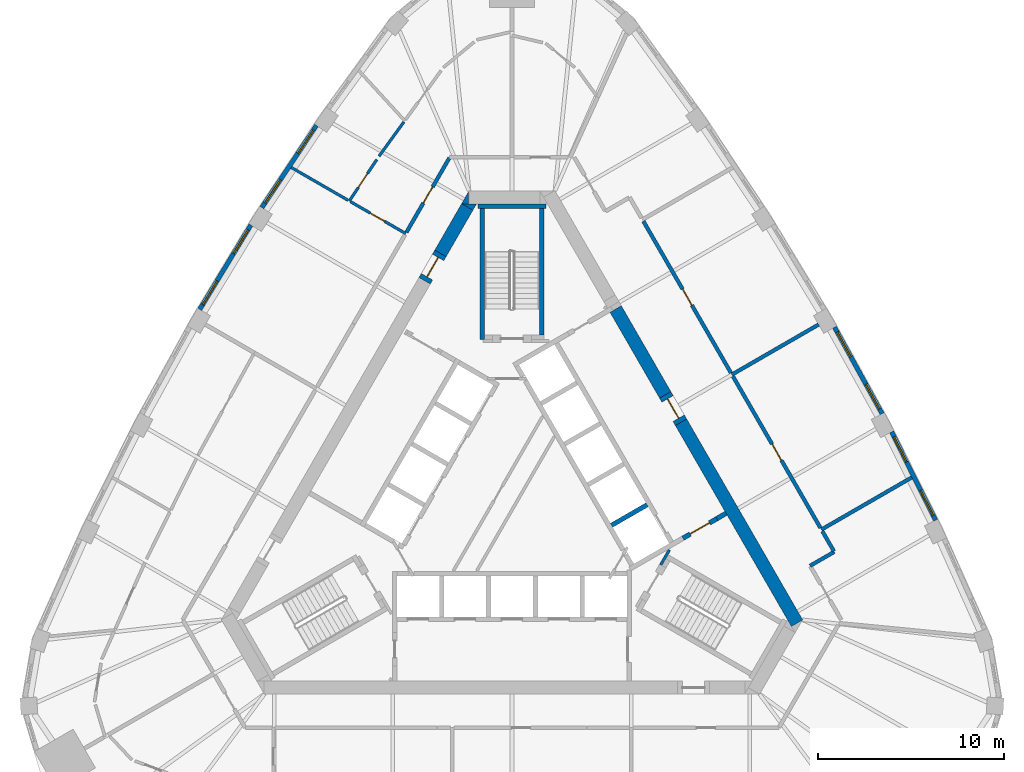
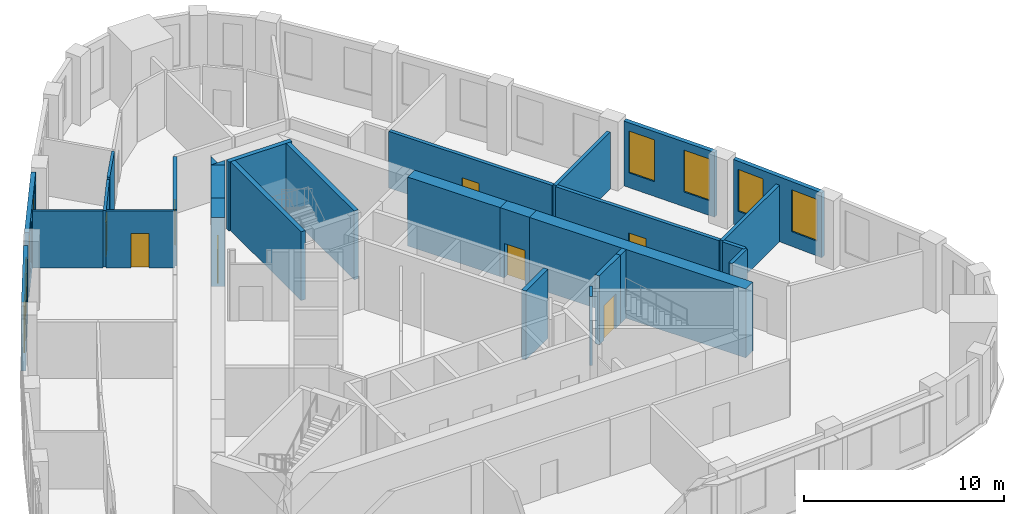
# One storey, part 7 of 10: 29 walls, 8 doors, 8 windows, 16 openings.
"""IFC4 building model written with IfcOpenShell, lengths in metres."""

import ifcopenshell
import ifcopenshell.guid

model = None  # the IFC model being written
_history = None  # IfcOwnerHistory: only IFC2X3 demands one
_inside = {}  # id of a spatial element -> (the spatial element, [elements in it])
_under = {}  # id of a project, library or spatial element -> (it, [spatial elements below it])
_declared = {}  # id of a project -> (the project, [libraries it declares])
_typed = {}  # id of a type object -> (the type object, [elements of that type])
_made_of = {}  # id of a material, layer set ... -> (it, [elements and type objects made of it])


def new_model(schema):
    """Start an empty IFC model of exactly this schema.

    Asked for "IFC4X3", IfcOpenShell would pick the latest addendum, in which some entities
    have other attributes; the version numbers below select the first issue.
    IFC2X3 requires an IfcOwnerHistory on every rooted entity: one is made here for all.
    """
    global model, _history
    if schema == "IFC4X3":
        model = ifcopenshell.file(schema_version=(4, 3, 0, 0))
    else:
        model = ifcopenshell.file(schema=schema)
    _inside.clear()
    _under.clear()
    _declared.clear()
    _typed.clear()
    _made_of.clear()
    _history = None
    if model.schema == "IFC2X3":
        org = make("IfcOrganization", Name="unknown")
        user = make(
            "IfcPersonAndOrganization",
            ThePerson=make("IfcPerson", FamilyName="unknown"),
            TheOrganization=org,
        )
        app = make(
            "IfcApplication",
            ApplicationDeveloper=org,
            Version="unknown",
            ApplicationFullName="unknown",
            ApplicationIdentifier="unknown",
        )
        _history = make(
            "IfcOwnerHistory",
            OwningUser=user,
            OwningApplication=app,
            ChangeAction="ADDED",
            CreationDate=0,
        )
    return model


def make(cls, **values):
    """One entity of the class cls with the attributes given. An attribute that is None is left unset."""
    return model.create_entity(
        cls, **{name: value for name, value in values.items() if value is not None}
    )


def rooted(cls, **values):
    """An entity with a GlobalId (a new one), such as an element, a storey or a relation."""
    return make(cls, GlobalId=ifcopenshell.guid.new(), OwnerHistory=_history, **values)


def si_unit(unit_type, name, prefix=None):
    """IfcSIUnit, for example si_unit("LENGTHUNIT", "METRE", prefix="MILLI")."""
    return make("IfcSIUnit", UnitType=unit_type, Prefix=prefix, Name=name)


def assignment(units):
    """IfcUnitAssignment: the units of a project."""
    return None if units is None else make("IfcUnitAssignment", Units=units)


def point(xyz):
    """IfcCartesianPoint."""
    return None if xyz is None else make("IfcCartesianPoint", Coordinates=xyz)


def direction(xyz):
    """IfcDirection."""
    return None if xyz is None else make("IfcDirection", DirectionRatios=xyz)


def frame(location, z_axis=None, x_axis=None):
    """IfcAxis2Placement3D, a coordinate frame: its origin and axes. An axis left out is left unset."""
    return make(
        "IfcAxis2Placement3D",
        Location=point(location),
        Axis=direction(z_axis),
        RefDirection=direction(x_axis),
    )


def frame_2d(location, x_axis=None):
    """IfcAxis2Placement2D, a coordinate frame in the plane: its origin and x axis."""
    return make(
        "IfcAxis2Placement2D", Location=point(location), RefDirection=direction(x_axis)
    )


def origin():
    """The frame at (0, 0, 0) with its axes left unset."""
    return frame((0.0, 0.0, 0.0))


def place(relative_to, where):
    """IfcLocalPlacement: puts the frame where relative to a parent placement (None: the world)."""
    return make(
        "IfcLocalPlacement", PlacementRelTo=relative_to, RelativePlacement=where
    )


def context(
    kind, dimensions, precision=None, world=None, true_north=None, identifier=None
):
    """IfcGeometricRepresentationContext, for example the 3D "Model" context."""
    return make(
        "IfcGeometricRepresentationContext",
        ContextIdentifier=identifier,
        ContextType=kind,
        CoordinateSpaceDimension=dimensions,
        Precision=precision,
        WorldCoordinateSystem=world,
        TrueNorth=true_north,
    )


def subcontext(parent, identifier, kind, view, scale=None):
    """IfcGeometricRepresentationSubContext, for example "Body" below "Model"."""
    return make(
        "IfcGeometricRepresentationSubContext",
        ContextIdentifier=identifier,
        ContextType=kind,
        ParentContext=parent,
        TargetScale=scale,
        TargetView=view,
    )


def project(units=None, contexts=None):
    """IfcProject with its units and contexts."""
    return rooted(
        "IfcProject",
        Name="project",
        RepresentationContexts=contexts,
        UnitsInContext=assignment(units),
    )


def spatial(cls, under=None, at=None, **own):
    """A site, building, storey or space (cls), placed at a placement, below another one or the project."""
    s = rooted(cls, ObjectPlacement=at, **own)
    if under is not None:
        _under.setdefault(under.id(), (under, []))[1].append(s)
    return s


def polyline(points):
    """IfcPolyline through the points."""
    return make("IfcPolyline", Points=[point(p) for p in points])


def profile(cls, at=None, kind="AREA", **sizes):
    """A parametric profile (cls). Its sizes go by their IFC names, for example OverallWidth=200.0."""
    return make(cls, ProfileType=kind, Position=at, **sizes)


def rectangle(**sizes):
    """IfcRectangleProfileDef."""
    return profile("IfcRectangleProfileDef", **sizes)


def outline(outer, holes=None, kind="AREA"):
    """IfcArbitraryClosedProfileDef: a profile drawn as a closed curve; with holes, ...WithVoids."""
    if holes is None:
        return make("IfcArbitraryClosedProfileDef", ProfileType=kind, OuterCurve=outer)
    return make(
        "IfcArbitraryProfileDefWithVoids",
        ProfileType=kind,
        OuterCurve=outer,
        InnerCurves=holes,
    )


def extrude(swept, where, along, depth):
    """IfcExtrudedAreaSolid: the profile swept, set in the frame where, extruded along a direction by depth."""
    return make(
        "IfcExtrudedAreaSolid",
        SweptArea=swept,
        Position=where,
        ExtrudedDirection=direction(along),
        Depth=depth,
    )


def shape(context_of_items, identifier, shape_type, items):
    """IfcShapeRepresentation: the items that make up one representation, for example the "Body"."""
    return make(
        "IfcShapeRepresentation",
        ContextOfItems=context_of_items,
        RepresentationIdentifier=identifier,
        RepresentationType=shape_type,
        Items=items,
    )


def material(Name=None, Category=None):
    """IfcMaterial."""
    return make("IfcMaterial", Name=Name, Category=Category)


def layer(
    of_material, thickness, ventilated=None, Name=None, Category=None, Priority=None
):
    """IfcMaterialLayer: one layer of a wall or slab, of a material (None: an air gap)."""
    return make(
        "IfcMaterialLayer",
        Material=of_material,
        LayerThickness=thickness,
        IsVentilated=ventilated,
        Name=Name,
        Category=Category,
        Priority=Priority,
    )


def layer_set(layers, Name=None):
    """IfcMaterialLayerSet."""
    return make("IfcMaterialLayerSet", MaterialLayers=layers, LayerSetName=Name)


def made_of(thing, what):
    """Note that an element or type object is made of a material, layer set ...; save() writes the relation."""
    if what is not None:
        _made_of.setdefault(what.id(), (what, []))[1].append(thing)
    return thing


def type_object(cls, material=None, **own):
    """A type object (cls), such as IfcWallType, which elements share."""
    return made_of(rooted(cls, **own), material)


def element(
    cls,
    number,
    at=None,
    inside=None,
    cuts=None,
    type_object=None,
    material=None,
    context=None,
    identifier="Body",
    shape_type=None,
    held_by="IfcProductDefinitionShape",
    body=None,
    shapes=None,
    **own,
):
    """One element of the class cls, such as IfcWall. Its Tag is "e" and its number.

    at: its placement. inside: the storey or other place that contains it. cuts: it is an
    opening in that element (IfcRelVoidsElement). A single representation is given by context,
    identifier, shape_type and body (its items); several are given by shapes. held_by: the class
    of the entity that holds the representations. save() writes the other relations.
    """
    e = rooted(cls, Tag="e%d" % number, ObjectPlacement=at, **own)
    if body is not None:
        shapes = [shape(context, identifier, shape_type, body)]
    if shapes is not None:
        e.Representation = make(held_by, Representations=shapes)
    if inside is not None:
        _inside.setdefault(inside.id(), (inside, []))[1].append(e)
    if cuts is not None:
        rooted(
            "IfcRelVoidsElement", RelatingBuildingElement=cuts, RelatedOpeningElement=e
        )
    if type_object is not None:
        _typed.setdefault(type_object.id(), (type_object, []))[1].append(e)
    return made_of(e, material)


def fill(opening, filler):
    """IfcRelFillsElement: the door or window that sits in an opening."""
    return rooted(
        "IfcRelFillsElement",
        RelatingOpeningElement=opening,
        RelatedBuildingElement=filler,
    )


def aggregate(whole, parts):
    """IfcRelAggregates: a whole, such as a stair, and the parts it consists of."""
    return rooted("IfcRelAggregates", RelatingObject=whole, RelatedObjects=parts)


def save(model, path):
    """Write the relations noted so far, then the file.

    IfcRelAggregates (storeys below a building ...), IfcRelContainedInSpatialStructure (elements
    in a storey), IfcRelDefinesByType, IfcRelAssociatesMaterial and IfcRelDeclares: one each for
    every whole, place, type object, material and project.
    """
    for whole, parts in _under.values():
        aggregate(whole, parts)
    for where, things in _inside.values():
        rooted(
            "IfcRelContainedInSpatialStructure",
            RelatedElements=things,
            RelatingStructure=where,
        )
    for kind, things in _typed.values():
        rooted("IfcRelDefinesByType", RelatedObjects=things, RelatingType=kind)
    for what, things in _made_of.values():
        rooted("IfcRelAssociatesMaterial", RelatedObjects=things, RelatingMaterial=what)
    for by, libraries in _declared.values():
        rooted("IfcRelDeclares", RelatingContext=by, RelatedDefinitions=libraries)
    model.write(path)


model = new_model("IFC4")

# Units and contexts
model_context = context("Model", 3, precision=1e-05, world=origin(), true_north=direction((0.0, 1.0)))
body_context = subcontext(model_context, "Body", "Model", "MODEL_VIEW")
ifc_project = project(units=[si_unit("LENGTHUNIT", "METRE"), si_unit("AREAUNIT", "SQUARE_METRE"), si_unit("VOLUMEUNIT", "CUBIC_METRE"), si_unit("PLANEANGLEUNIT", "RADIAN"), si_unit("MASSUNIT", "GRAM", prefix="KILO")], contexts=[model_context])

# Site, building, storey
site_placement = place(None, origin())
site = spatial("IfcSite", under=ifc_project, at=site_placement, CompositionType="ELEMENT")
building_placement = place(site_placement, origin())
building = spatial("IfcBuilding", under=site, at=building_placement, Name="Mestral Congress Tower", CompositionType="ELEMENT")
storey_placement = place(building_placement, frame((0.0, 0.0, 218.39990234375)))
storey = spatial("IfcBuildingStorey", under=building, at=storey_placement, Name="L51", CompositionType="ELEMENT", Elevation=218.39990234375)

# Walls
ifc_material_1 = material(Name="Concrete C60/75", Category="concrete")
ifc_layer_1 = layer(ifc_material_1, 0.699951171875)
ifc_layer_set_1 = layer_set([ifc_layer_1], Name="Concrete C60/75")
wall_type_1 = type_object("IfcWallType", Name="Core wall RC 700", PredefinedType="SOLIDWALL", material=ifc_layer_set_1)
wall_1_placement = place(storey_placement, frame((9.085205078125, 4.263916015625, 0.0), z_axis=(0.0, 0.0, 1.0), x_axis=(0.499998082512, -0.866026510844, 0.0)))
element("IfcWall", 1, at=wall_1_placement, inside=storey, type_object=wall_type_1, Name="L51 core wall", PredefinedType="SOLIDWALL", context=body_context, shape_type="SweptSolid", body=[
    extrude(rectangle(XDim=12.47216796875, YDim=0.699951171875, at=frame_2d((6.236083984375, 0.0))), origin(), (0.0, 0.0, 1.0), 4.2001953125),
])
wall_2_placement = place(storey_placement, frame((5.5712890625, 10.350341796875, 0.0), z_axis=(0.0, 0.0, 1.0), x_axis=(0.499968379186, -0.8660436593, 0.0)))
element("IfcWall", 2, at=wall_2_placement, inside=storey, type_object=wall_type_1, Name="L51 core wall", PredefinedType="SOLIDWALL", context=body_context, shape_type="SweptSolid", body=[
    extrude(rectangle(XDim=5.327880859375, YDim=0.699951171875, at=frame_2d((2.6640625, 0.0))), origin(), (0.0, 0.0, 1.0), 4.2001953125),
])
placement = place(storey_placement, origin())
element("IfcWall", 3, at=placement, inside=storey, type_object=wall_type_1, Name="L51 core wall", PredefinedType="SOLIDWALL", context=body_context, shape_type="SweptSolid", body=[
    extrude(outline(polyline([(-2.71337890625, 16.0), (-2.325439453125, 16.672119140625), (-2.325439453125, 16.0), (-2.71337890625, 16.0)])), origin(), (0.0, 0.0, 1.0), 4.2001953125),
])
wall_4_placement = place(storey_placement, frame((-2.4033203125, 15.837158203125, 0.0), z_axis=(0.0, 0.0, 1.0), x_axis=(-0.500008214683, -0.866020660983, 0.0)))
element("IfcWall", 4, at=wall_4_placement, inside=storey, type_object=wall_type_1, Name="L51 core wall", PredefinedType="SOLIDWALL", context=body_context, shape_type="SweptSolid", body=[
    extrude(rectangle(XDim=2.88427734375, YDim=0.699951171875, at=frame_2d((1.442138671875, 0.0))), origin(), (0.0, 0.0, 1.0), 4.2001953125),
])
element("IfcWall", 5, at=placement, inside=storey, type_object=wall_type_1, Name="L51 core wall", PredefinedType="SOLIDWALL", context=body_context, shape_type="SweptSolid", body=[
    extrude(outline(polyline([(-1.9052734375, 16.0), (-2.099365234375, 15.6640625), (-2.681396484375, 16.0), (-1.9052734375, 16.0)])), origin(), (0.0, 0.0, 1.0), 4.2001953125),
])

# Wall, opening, door
wall_6_placement = place(storey_placement, frame((-4.695556640625, 11.866943359375, 0.0), z_axis=(0.0, 0.0, 1.0), x_axis=(0.499892348375, 0.866087547558, 0.0)))
wall_6 = element("IfcWall", 6, at=wall_6_placement, inside=storey, type_object=wall_type_1, Name="L51 door wall", PredefinedType="SOLIDWALL", context=body_context, shape_type="SweptSolid", body=[
    extrude(rectangle(XDim=1.699951171875, YDim=0.699951171875, at=frame_2d((0.85009765625, 0.0))), origin(), (0.0, 0.0, 1.0), 4.2001953125),
])
opening_1_placement = place(wall_6_placement, frame((0.25, 0.0, 0.0)))
opening_1 = element("IfcOpeningElement", 7, at=opening_1_placement, cuts=wall_6, Name="Opening XD2", PredefinedType="OPENING", context=body_context, shape_type="SweptSolid", body=[
    extrude(rectangle(XDim=1.199951171875, YDim=2.10009765625, at=frame_2d((0.60009765625, 1.050048828125))), frame((0.0, 0.35986328125, 0.0), z_axis=(0.0, -1.0, 0.0), x_axis=(1.0, 0.0, 0.0)), (0.0, 0.0, 1.0), 0.719970703125),
])
ifc_material_2 = material(Name="Fire-rated steel door set", Category="steel")
door_type_1 = type_object("IfcDoorType", Name="Core door XD 1200x2100", OperationType="SINGLE_SWING_LEFT", PredefinedType="DOOR", material=ifc_material_2)
door_1_placement = place(opening_1_placement, origin())
door_1 = element("IfcDoor", 8, at=door_1_placement, inside=storey, type_object=door_type_1, Name="Door XD2", OperationType="SINGLE_SWING_LEFT", OverallHeight=2.10009765625, OverallWidth=1.199951171875, PredefinedType="DOOR", context=body_context, shape_type="SweptSolid", body=[
    extrude(rectangle(XDim=1.199951171875, YDim=2.10009765625, at=frame_2d((0.60009765625, 1.050048828125))), frame((0.0, 0.02490234375, 0.0), z_axis=(0.0, -1.0, 0.0), x_axis=(1.0, 0.0, 0.0)), (0.0, 0.0, 1.0), 0.050048828125),
])
fill(opening_1, door_1)

wall_7_placement = place(storey_placement, frame((8.2353515625, 5.736083984375, 0.0), z_axis=(0.0, 0.0, 1.0), x_axis=(0.499954529098, -0.86605165483, 0.0)))
wall_7 = element("IfcWall", 9, at=wall_7_placement, inside=storey, type_object=wall_type_1, Name="L51 door wall", PredefinedType="SOLIDWALL", context=body_context, shape_type="SweptSolid", body=[
    extrude(rectangle(XDim=1.699951171875, YDim=0.699951171875, at=frame_2d((0.85009765625, 0.0))), origin(), (0.0, 0.0, 1.0), 4.2001953125),
])
opening_2_placement = place(wall_7_placement, frame((0.25, 0.0, 0.0)))
opening_2 = element("IfcOpeningElement", 10, at=opening_2_placement, cuts=wall_7, Name="Opening XDL", PredefinedType="OPENING", context=body_context, shape_type="SweptSolid", body=[
    extrude(rectangle(XDim=1.199951171875, YDim=2.10009765625, at=frame_2d((0.60009765625, 1.050048828125))), frame((0.0, 0.35986328125, 0.0), z_axis=(0.0, -1.0, 0.0), x_axis=(1.0, 0.0, 0.0)), (0.0, 0.0, 1.0), 0.719970703125),
])
door_2_placement = place(opening_2_placement, origin())
door_2 = element("IfcDoor", 11, at=door_2_placement, inside=storey, type_object=door_type_1, Name="Door XDL", OperationType="SINGLE_SWING_LEFT", OverallHeight=2.10009765625, OverallWidth=1.199951171875, PredefinedType="DOOR", context=body_context, shape_type="SweptSolid", body=[
    extrude(rectangle(XDim=1.199951171875, YDim=2.10009765625, at=frame_2d((0.60009765625, 1.050048828125))), frame((0.0, 0.02490234375, 0.0), z_axis=(0.0, -1.0, 0.0), x_axis=(1.0, 0.0, 0.0)), (0.0, 0.0, 1.0), 0.050048828125),
])
fill(opening_2, door_2)

# Wall, openings, windows
ifc_material_3 = material(Name="Precast concrete C40/50 with limestone facing", Category="masonry")
ifc_layer_2 = layer(ifc_material_3, 0.239990234375)
ifc_layer_set_2 = layer_set([ifc_layer_2], Name="Precast concrete C40/50 with limestone facing")
wall_type_2 = type_object("IfcWallType", Name="Facade stone wall 240", PredefinedType="SOLIDWALL", material=ifc_layer_set_2)
wall_8_placement = place(storey_placement, frame((22.765869140625, -1.0048828125, 0.0), z_axis=(0.0, 0.0, 1.0), x_axis=(-0.445129582031, 0.895466166419, 0.0)))
wall_8 = element("IfcWall", 12, at=wall_8_placement, inside=storey, type_object=wall_type_2, Name="Facade wall F1-01", PredefinedType="SOLIDWALL", context=body_context, shape_type="SweptSolid", body=[
    extrude(rectangle(XDim=5.29833984375, YDim=0.239990234375, at=frame_2d((2.649169921875, 0.0))), origin(), (0.0, 0.0, 1.0), 3.9501953125),
])
opening_3_placement = place(wall_8_placement, frame((0.294677734375, 0.0, 0.89990234375)))
opening_3 = element("IfcOpeningElement", 13, at=opening_3_placement, cuts=wall_8, Name="Opening W4", PredefinedType="OPENING", context=body_context, shape_type="SweptSolid", body=[
    extrude(rectangle(XDim=1.5, YDim=2.550048828125, at=frame_2d((0.75, 1.27490234375))), frame((0.0, 0.1298828125, 0.0), z_axis=(0.0, -1.0, 0.0), x_axis=(1.0, 0.0, 0.0)), (0.0, 0.0, 1.0), 0.260009765625),
])
opening_4_placement = place(wall_8_placement, frame((3.503662109375, 0.0, 0.89990234375)))
opening_4 = element("IfcOpeningElement", 14, at=opening_4_placement, cuts=wall_8, Name="Opening W4", PredefinedType="OPENING", context=body_context, shape_type="SweptSolid", body=[
    extrude(rectangle(XDim=1.5, YDim=2.550048828125, at=frame_2d((0.75, 1.27490234375))), frame((0.0, 0.1298828125, 0.0), z_axis=(0.0, -1.0, 0.0), x_axis=(1.0, 0.0, 0.0)), (0.0, 0.0, 1.0), 0.260009765625),
])
ifc_material_4 = material(Name="Clear low-emissivity double glazing", Category="glass")
window_type = type_object("IfcWindowType", Name="Facade punched window 1500 x 2550 sill 900", PartitioningType="SINGLE_PANEL", PredefinedType="WINDOW", material=ifc_material_4)
window_1_placement = place(opening_3_placement, origin())
window_1 = element("IfcWindow", 15, at=window_1_placement, inside=storey, type_object=window_type, Name="Window F1-01a", OverallHeight=2.550048828125, OverallWidth=1.5, PartitioningType="SINGLE_PANEL", PredefinedType="WINDOW", context=body_context, shape_type="SweptSolid", body=[
    extrude(rectangle(XDim=1.5, YDim=2.550048828125, at=frame_2d((0.75, 1.27490234375))), frame((0.0, 0.0400390625, 0.0), z_axis=(0.0, -1.0, 0.0), x_axis=(1.0, 0.0, 0.0)), (0.0, 0.0, 1.0), 0.06005859375),
])
fill(opening_3, window_1)
window_2_placement = place(opening_4_placement, origin())
window_2 = element("IfcWindow", 16, at=window_2_placement, inside=storey, type_object=window_type, Name="Window F1-01b", OverallHeight=2.550048828125, OverallWidth=1.5, PartitioningType="SINGLE_PANEL", PredefinedType="WINDOW", context=body_context, shape_type="SweptSolid", body=[
    extrude(rectangle(XDim=1.5, YDim=2.550048828125, at=frame_2d((0.75, 1.27490234375))), frame((0.0, 0.0400390625, 0.0), z_axis=(0.0, -1.0, 0.0), x_axis=(1.0, 0.0, 0.0)), (0.0, 0.0, 1.0), 0.06005859375),
])
fill(opening_4, window_2)

wall_9_placement = place(storey_placement, frame((19.8916015625, 4.725341796875, 0.0), z_axis=(0.0, 0.0, 1.0), x_axis=(-0.481925825015, 0.876212017256, 0.0)))
wall_9 = element("IfcWall", 17, at=wall_9_placement, inside=storey, type_object=wall_type_2, Name="Facade wall F1-02", PredefinedType="SOLIDWALL", context=body_context, shape_type="SweptSolid", body=[
    extrude(rectangle(XDim=5.298583984375, YDim=0.239990234375, at=frame_2d((2.6494140625, 0.0))), origin(), (0.0, 0.0, 1.0), 3.9501953125),
])
opening_5_placement = place(wall_9_placement, frame((0.294677734375, 0.0, 0.89990234375)))
opening_5 = element("IfcOpeningElement", 18, at=opening_5_placement, cuts=wall_9, Name="Opening W4", PredefinedType="OPENING", context=body_context, shape_type="SweptSolid", body=[
    extrude(rectangle(XDim=1.5, YDim=2.550048828125, at=frame_2d((0.75, 1.27490234375))), frame((0.0, 0.1298828125, 0.0), z_axis=(0.0, -1.0, 0.0), x_axis=(1.0, 0.0, 0.0)), (0.0, 0.0, 1.0), 0.260009765625),
])
opening_6_placement = place(wall_9_placement, frame((3.503662109375, 0.0, 0.89990234375)))
opening_6 = element("IfcOpeningElement", 19, at=opening_6_placement, cuts=wall_9, Name="Opening W4", PredefinedType="OPENING", context=body_context, shape_type="SweptSolid", body=[
    extrude(rectangle(XDim=1.5, YDim=2.550048828125, at=frame_2d((0.75, 1.27490234375))), frame((0.0, 0.1298828125, 0.0), z_axis=(0.0, -1.0, 0.0), x_axis=(1.0, 0.0, 0.0)), (0.0, 0.0, 1.0), 0.260009765625),
])
window_3_placement = place(opening_5_placement, origin())
window_3 = element("IfcWindow", 20, at=window_3_placement, inside=storey, type_object=window_type, Name="Window F1-02a", OverallHeight=2.550048828125, OverallWidth=1.5, PartitioningType="SINGLE_PANEL", PredefinedType="WINDOW", context=body_context, shape_type="SweptSolid", body=[
    extrude(rectangle(XDim=1.5, YDim=2.550048828125, at=frame_2d((0.75, 1.27490234375))), frame((0.0, 0.0400390625, 0.0), z_axis=(0.0, -1.0, 0.0), x_axis=(1.0, 0.0, 0.0)), (0.0, 0.0, 1.0), 0.06005859375),
])
fill(opening_5, window_3)
window_4_placement = place(opening_6_placement, origin())
window_4 = element("IfcWindow", 21, at=window_4_placement, inside=storey, type_object=window_type, Name="Window F1-02b", OverallHeight=2.550048828125, OverallWidth=1.5, PartitioningType="SINGLE_PANEL", PredefinedType="WINDOW", context=body_context, shape_type="SweptSolid", body=[
    extrude(rectangle(XDim=1.5, YDim=2.550048828125, at=frame_2d((0.75, 1.27490234375))), frame((0.0, 0.0400390625, 0.0), z_axis=(0.0, -1.0, 0.0), x_axis=(1.0, 0.0, 0.0)), (0.0, 0.0, 1.0), 0.06005859375),
])
fill(opening_6, window_4)

wall_10_placement = place(storey_placement, frame((-10.5126953125, 20.21826171875, 0.0), z_axis=(0.0, 0.0, 1.0), x_axis=(-0.552901821755, -0.833246407433, 0.0)))
wall_10 = element("IfcWall", 22, at=wall_10_placement, inside=storey, type_object=wall_type_2, Name="Facade wall F2-01", PredefinedType="SOLIDWALL", context=body_context, shape_type="SweptSolid", body=[
    extrude(rectangle(XDim=5.29833984375, YDim=0.239990234375, at=frame_2d((2.649169921875, 0.0))), origin(), (0.0, 0.0, 1.0), 3.9501953125),
])
opening_7_placement = place(wall_10_placement, frame((0.29443359375, 0.0, 0.89990234375)))
opening_7 = element("IfcOpeningElement", 23, at=opening_7_placement, cuts=wall_10, Name="Opening W4", PredefinedType="OPENING", context=body_context, shape_type="SweptSolid", body=[
    extrude(rectangle(XDim=1.5, YDim=2.550048828125, at=frame_2d((0.75, 1.27490234375))), frame((0.0, 0.1298828125, 0.0), z_axis=(0.0, -1.0, 0.0), x_axis=(1.0, 0.0, 0.0)), (0.0, 0.0, 1.0), 0.260009765625),
])
opening_8_placement = place(wall_10_placement, frame((3.503662109375, 0.0, 0.89990234375)))
opening_8 = element("IfcOpeningElement", 24, at=opening_8_placement, cuts=wall_10, Name="Opening W4", PredefinedType="OPENING", context=body_context, shape_type="SweptSolid", body=[
    extrude(rectangle(XDim=1.5, YDim=2.550048828125, at=frame_2d((0.75, 1.27490234375))), frame((0.0, 0.1298828125, 0.0), z_axis=(0.0, -1.0, 0.0), x_axis=(1.0, 0.0, 0.0)), (0.0, 0.0, 1.0), 0.260009765625),
])
window_5_placement = place(opening_7_placement, origin())
window_5 = element("IfcWindow", 25, at=window_5_placement, inside=storey, type_object=window_type, Name="Window F2-01a", OverallHeight=2.550048828125, OverallWidth=1.5, PartitioningType="SINGLE_PANEL", PredefinedType="WINDOW", context=body_context, shape_type="SweptSolid", body=[
    extrude(rectangle(XDim=1.5, YDim=2.550048828125, at=frame_2d((0.75, 1.27490234375))), frame((0.0, 0.0400390625, 0.0), z_axis=(0.0, -1.0, 0.0), x_axis=(1.0, 0.0, 0.0)), (0.0, 0.0, 1.0), 0.06005859375),
])
fill(opening_7, window_5)
window_6_placement = place(opening_8_placement, origin())
window_6 = element("IfcWindow", 26, at=window_6_placement, inside=storey, type_object=window_type, Name="Window F2-01b", OverallHeight=2.550048828125, OverallWidth=1.5, PartitioningType="SINGLE_PANEL", PredefinedType="WINDOW", context=body_context, shape_type="SweptSolid", body=[
    extrude(rectangle(XDim=1.5, YDim=2.550048828125, at=frame_2d((0.75, 1.27490234375))), frame((0.0, 0.0400390625, 0.0), z_axis=(0.0, -1.0, 0.0), x_axis=(1.0, 0.0, 0.0)), (0.0, 0.0, 1.0), 0.06005859375),
])
fill(opening_8, window_6)

wall_11_placement = place(storey_placement, frame((-14.0380859375, 14.86376953125, 0.0), z_axis=(0.0, 0.0, 1.0), x_axis=(-0.517846166225, -0.855473756538, 0.0)))
wall_11 = element("IfcWall", 27, at=wall_11_placement, inside=storey, type_object=wall_type_2, Name="Facade wall F2-02", PredefinedType="SOLIDWALL", context=body_context, shape_type="SweptSolid", body=[
    extrude(rectangle(XDim=5.298095703125, YDim=0.239990234375, at=frame_2d((2.64892578125, 0.0))), origin(), (0.0, 0.0, 1.0), 3.9501953125),
])
opening_9_placement = place(wall_11_placement, frame((0.29443359375, 0.0, 0.89990234375)))
opening_9 = element("IfcOpeningElement", 28, at=opening_9_placement, cuts=wall_11, Name="Opening W4", PredefinedType="OPENING", context=body_context, shape_type="SweptSolid", body=[
    extrude(rectangle(XDim=1.5, YDim=2.550048828125, at=frame_2d((0.75, 1.27490234375))), frame((0.0, 0.1298828125, 0.0), z_axis=(0.0, -1.0, 0.0), x_axis=(1.0, 0.0, 0.0)), (0.0, 0.0, 1.0), 0.260009765625),
])
opening_10_placement = place(wall_11_placement, frame((3.503662109375, 0.0, 0.89990234375)))
opening_10 = element("IfcOpeningElement", 29, at=opening_10_placement, cuts=wall_11, Name="Opening W4", PredefinedType="OPENING", context=body_context, shape_type="SweptSolid", body=[
    extrude(rectangle(XDim=1.5, YDim=2.550048828125, at=frame_2d((0.75, 1.27490234375))), frame((0.0, 0.1298828125, 0.0), z_axis=(0.0, -1.0, 0.0), x_axis=(1.0, 0.0, 0.0)), (0.0, 0.0, 1.0), 0.260009765625),
])
window_7_placement = place(opening_9_placement, origin())
window_7 = element("IfcWindow", 30, at=window_7_placement, inside=storey, type_object=window_type, Name="Window F2-02a", OverallHeight=2.550048828125, OverallWidth=1.5, PartitioningType="SINGLE_PANEL", PredefinedType="WINDOW", context=body_context, shape_type="SweptSolid", body=[
    extrude(rectangle(XDim=1.5, YDim=2.550048828125, at=frame_2d((0.75, 1.27490234375))), frame((0.0, 0.0400390625, 0.0), z_axis=(0.0, -1.0, 0.0), x_axis=(1.0, 0.0, 0.0)), (0.0, 0.0, 1.0), 0.06005859375),
])
fill(opening_9, window_7)
window_8_placement = place(opening_10_placement, origin())
window_8 = element("IfcWindow", 31, at=window_8_placement, inside=storey, type_object=window_type, Name="Window F2-02b", OverallHeight=2.550048828125, OverallWidth=1.5, PartitioningType="SINGLE_PANEL", PredefinedType="WINDOW", context=body_context, shape_type="SweptSolid", body=[
    extrude(rectangle(XDim=1.5, YDim=2.550048828125, at=frame_2d((0.75, 1.27490234375))), frame((0.0, 0.0400390625, 0.0), z_axis=(0.0, -1.0, 0.0), x_axis=(1.0, 0.0, 0.0)), (0.0, 0.0, 1.0), 0.06005859375),
])
fill(opening_10, window_8)

# Wall
ifc_material_5 = material(Name="Plasterboard partition on steel studs", Category="steel")
ifc_layer_3 = layer(ifc_material_5, 0.14990234375)
ifc_layer_set_3 = layer_set([ifc_layer_3], Name="Plasterboard partition on steel studs")
wall_type_3 = type_object("IfcWallType", Name="Office partition 150", PredefinedType="PARTITIONING", material=ifc_layer_set_3)
wall_12_placement = place(storey_placement, frame((-5.80908203125, 20.4072265625, 0.0), z_axis=(0.0, 0.0, 1.0), x_axis=(-0.587095604593, -0.809517603927, 0.0)))
element("IfcWall", 32, at=wall_12_placement, inside=storey, type_object=wall_type_3, Name="Partition", PredefinedType="PARTITIONING", context=body_context, shape_type="SweptSolid", body=[
    extrude(rectangle(XDim=2.281005859375, YDim=0.14990234375, at=frame_2d((1.140625, 0.0))), origin(), (0.0, 0.0, 1.0), 3.4501953125),
])

# Wall, opening, door
wall_13_placement = place(storey_placement, frame((-8.74365234375, 16.156005859375, 0.0), z_axis=(0.0, 0.0, 1.0), x_axis=(0.552885218102, 0.833257424572, 0.0)))
wall_13 = element("IfcWall", 33, at=wall_13_placement, inside=storey, type_object=wall_type_3, Name="Partition", PredefinedType="PARTITIONING", context=body_context, shape_type="SweptSolid", body=[
    extrude(rectangle(XDim=2.671630859375, YDim=0.14990234375, at=frame_2d((1.3359375, 0.0))), origin(), (0.0, 0.0, 1.0), 3.4501953125),
])
opening_11_placement = place(wall_13_placement, frame((0.87158203125, 0.0, 0.0)))
opening_11 = element("IfcOpeningElement", 34, at=opening_11_placement, cuts=wall_13, Name="Opening O07-010", PredefinedType="OPENING", context=body_context, shape_type="SweptSolid", body=[
    extrude(rectangle(XDim=0.89990234375, YDim=2.10009765625, at=frame_2d((0.449951171875, 1.050048828125))), frame((0.0, 0.0849609375, 0.0), z_axis=(0.0, -1.0, 0.0), x_axis=(1.0, 0.0, 0.0)), (0.0, 0.0, 1.0), 0.169921875),
])
ifc_material_6 = material(Name="Timber door set", Category="wood")
door_type_2 = type_object("IfcDoorType", Name="Office door 900x2100", OperationType="SINGLE_SWING_LEFT", PredefinedType="DOOR", material=ifc_material_6)
door_3_placement = place(opening_11_placement, origin())
door_3 = element("IfcDoor", 35, at=door_3_placement, inside=storey, type_object=door_type_2, Name="Door O07-010", OperationType="SINGLE_SWING_LEFT", OverallHeight=2.10009765625, OverallWidth=0.89990234375, PredefinedType="DOOR", context=body_context, shape_type="SweptSolid", body=[
    extrude(rectangle(XDim=0.89990234375, YDim=2.10009765625, at=frame_2d((0.449951171875, 1.050048828125))), frame((0.0, 0.02490234375, 0.0), z_axis=(0.0, -1.0, 0.0), x_axis=(1.0, 0.0, 0.0)), (0.0, 0.0, 1.0), 0.050048828125),
])
fill(opening_11, door_3)

# Wall
wall_14_placement = place(storey_placement, frame((-8.808837890625, 16.193603515625, 0.0), z_axis=(0.0, 0.0, 1.0), x_axis=(-0.865996792572, 0.500049552799, 0.0)))
element("IfcWall", 36, at=wall_14_placement, inside=storey, type_object=wall_type_3, Name="Partition", PredefinedType="PARTITIONING", context=body_context, shape_type="SweptSolid", body=[
    extrude(rectangle(XDim=3.531982421875, YDim=0.14990234375, at=frame_2d((1.76611328125, 0.0))), origin(), (0.0, 0.0, 1.0), 3.4501953125),
])

# Wall, opening, door
wall_15_placement = place(storey_placement, frame((-5.71240234375, 14.406005859375, 0.0), z_axis=(0.0, 0.0, 1.0), x_axis=(-0.866050272892, 0.499956922968, 0.0)))
wall_15 = element("IfcWall", 37, at=wall_15_placement, inside=storey, type_object=wall_type_3, Name="Partition", PredefinedType="PARTITIONING", context=body_context, shape_type="SweptSolid", body=[
    extrude(rectangle(XDim=3.425048828125, YDim=0.14990234375, at=frame_2d((1.71240234375, 0.0))), origin(), (0.0, 0.0, 1.0), 3.4501953125),
])
opening_12_placement = place(wall_15_placement, frame((1.300048828125, 0.0, 0.0)))
opening_12 = element("IfcOpeningElement", 38, at=opening_12_placement, cuts=wall_15, Name="Opening O07-012", PredefinedType="OPENING", context=body_context, shape_type="SweptSolid", body=[
    extrude(rectangle(XDim=0.89990234375, YDim=2.10009765625, at=frame_2d((0.449951171875, 1.050048828125))), frame((0.0, 0.0849609375, 0.0), z_axis=(0.0, -1.0, 0.0), x_axis=(1.0, 0.0, 0.0)), (0.0, 0.0, 1.0), 0.169921875),
])
door_4_placement = place(opening_12_placement, origin())
door_4 = element("IfcDoor", 39, at=door_4_placement, inside=storey, type_object=door_type_2, Name="Door O07-012", OperationType="SINGLE_SWING_RIGHT", OverallHeight=2.10009765625, OverallWidth=0.89990234375, PredefinedType="DOOR", context=body_context, shape_type="SweptSolid", body=[
    extrude(rectangle(XDim=0.89990234375, YDim=2.10009765625, at=frame_2d((0.449951171875, 1.050048828125))), frame((0.0, 0.02490234375, 0.0), z_axis=(0.0, -1.0, 0.0), x_axis=(1.0, 0.0, 0.0)), (0.0, 0.0, 1.0), 0.050048828125),
])
fill(opening_12, door_4)

# Walls
ifc_material_7 = material(Name="Dense masonry wall, plastered", Category="masonry")
ifc_layer_4 = layer(ifc_material_7, 0.199951171875)
ifc_layer_set_4 = layer_set([ifc_layer_4], Name="Dense masonry wall, plastered")
wall_type_4 = type_object("IfcWallType", Name="Office tenancy wall 200", PredefinedType="PARTITIONING", material=ifc_layer_set_4)
wall_16_placement = place(storey_placement, frame((16.631103515625, -1.505859375, 0.0), z_axis=(0.0, 0.0, 1.0), x_axis=(0.866045655253, 0.499964921787, 0.0)))
element("IfcWall", 40, at=wall_16_placement, inside=storey, type_object=wall_type_4, Name="Tenancy wall", PredefinedType="PARTITIONING", context=body_context, shape_type="SweptSolid", body=[
    extrude(rectangle(XDim=5.607421875, YDim=0.199951171875, at=frame_2d((2.8037109375, 0.0))), origin(), (0.0, 0.0, 1.0), 3.4501953125),
])
wall_17_placement = place(storey_placement, frame((16.022216796875, -3.451416015625, 0.0), z_axis=(0.0, 0.0, 1.0), x_axis=(0.866031096941, 0.499990139034, 0.0)))
element("IfcWall", 41, at=wall_17_placement, inside=storey, type_object=wall_type_4, Name="Tenancy wall", PredefinedType="PARTITIONING", context=body_context, shape_type="SweptSolid", body=[
    extrude(rectangle(XDim=1.5, YDim=0.199951171875, at=frame_2d((0.75, 0.0))), origin(), (0.0, 0.0, 1.0), 3.4501953125),
])
wall_18_placement = place(storey_placement, frame((17.30615234375, -2.67529296875, 0.0), z_axis=(0.0, 0.0, 1.0), x_axis=(-0.499919672301, 0.866071776036, 0.0)))
element("IfcWall", 42, at=wall_18_placement, inside=storey, type_object=wall_type_4, Name="Tenancy wall", PredefinedType="PARTITIONING", context=body_context, shape_type="SweptSolid", body=[
    extrude(rectangle(XDim=1.250244140625, YDim=0.199951171875, at=frame_2d((0.625, 0.0))), origin(), (0.0, 0.0, 1.0), 3.4501953125),
])
wall_19_placement = place(storey_placement, frame((11.8212890625, 6.824951171875, 0.0), z_axis=(0.0, 0.0, 1.0), x_axis=(0.866011792348, 0.500023574959, 0.0)))
element("IfcWall", 43, at=wall_19_placement, inside=storey, type_object=wall_type_4, Name="Tenancy wall", PredefinedType="PARTITIONING", context=body_context, shape_type="SweptSolid", body=[
    extrude(rectangle(XDim=5.380615234375, YDim=0.199951171875, at=frame_2d((2.6904296875, 0.0))), origin(), (0.0, 0.0, 1.0), 3.4501953125),
])

# Wall, opening, door
wall_20_placement = place(storey_placement, frame((16.5810546875, -1.419189453125, 0.0), z_axis=(0.0, 0.0, 1.0), x_axis=(-0.500019350398, 0.866014231539, 0.0)))
wall_20 = element("IfcWall", 44, at=wall_20_placement, inside=storey, type_object=wall_type_4, Name="Tenancy wall", PredefinedType="PARTITIONING", context=body_context, shape_type="SweptSolid", body=[
    extrude(rectangle(XDim=9.419677734375, YDim=0.199951171875, at=frame_2d((4.7099609375, 0.0))), origin(), (0.0, 0.0, 1.0), 3.4501953125),
])
opening_13_placement = place(wall_20_placement, frame((4.199951171875, 0.0, 0.0)))
opening_13 = element("IfcOpeningElement", 45, at=opening_13_placement, cuts=wall_20, Name="Opening O07-004", PredefinedType="OPENING", context=body_context, shape_type="SweptSolid", body=[
    extrude(rectangle(XDim=1.0, YDim=2.10009765625, at=frame_2d((0.5, 1.050048828125))), frame((0.0, 0.10986328125, 0.0), z_axis=(0.0, -1.0, 0.0), x_axis=(1.0, 0.0, 0.0)), (0.0, 0.0, 1.0), 0.219970703125),
])
ifc_material_8 = material(Name="Fire-rated timber door set", Category="wood")
door_type_3 = type_object("IfcDoorType", Name="Office tenancy entrance door 1000x2100", OperationType="SINGLE_SWING_LEFT", PredefinedType="DOOR", material=ifc_material_8)
door_5_placement = place(opening_13_placement, origin())
door_5 = element("IfcDoor", 46, at=door_5_placement, inside=storey, type_object=door_type_3, Name="Door O07-004", OperationType="SINGLE_SWING_LEFT", OverallHeight=2.10009765625, OverallWidth=1.0, PredefinedType="DOOR", context=body_context, shape_type="SweptSolid", body=[
    extrude(rectangle(XDim=1.0, YDim=2.10009765625, at=frame_2d((0.5, 1.050048828125))), frame((0.0, 0.02490234375, 0.0), z_axis=(0.0, -1.0, 0.0), x_axis=(1.0, 0.0, 0.0)), (0.0, 0.0, 1.0), 0.050048828125),
])
fill(opening_13, door_5)

wall_21_placement = place(storey_placement, frame((11.771240234375, 6.91162109375, 0.0), z_axis=(0.0, 0.0, 1.0), x_axis=(-0.500008127286, 0.866020711443, 0.0)))
wall_21 = element("IfcWall", 47, at=wall_21_placement, inside=storey, type_object=wall_type_4, Name="Tenancy wall", PredefinedType="PARTITIONING", context=body_context, shape_type="SweptSolid", body=[
    extrude(rectangle(XDim=9.419677734375, YDim=0.199951171875, at=frame_2d((4.7099609375, 0.0))), origin(), (0.0, 0.0, 1.0), 3.4501953125),
])
opening_14_placement = place(wall_21_placement, frame((4.199951171875, 0.0, 0.0)))
opening_14 = element("IfcOpeningElement", 48, at=opening_14_placement, cuts=wall_21, Name="Opening O07-005", PredefinedType="OPENING", context=body_context, shape_type="SweptSolid", body=[
    extrude(rectangle(XDim=1.0, YDim=2.10009765625, at=frame_2d((0.5, 1.050048828125))), frame((0.0, 0.10986328125, 0.0), z_axis=(0.0, -1.0, 0.0), x_axis=(1.0, 0.0, 0.0)), (0.0, 0.0, 1.0), 0.219970703125),
])
door_6_placement = place(opening_14_placement, origin())
door_6 = element("IfcDoor", 49, at=door_6_placement, inside=storey, type_object=door_type_3, Name="Door O07-005", OperationType="SINGLE_SWING_LEFT", OverallHeight=2.10009765625, OverallWidth=1.0, PredefinedType="DOOR", context=body_context, shape_type="SweptSolid", body=[
    extrude(rectangle(XDim=1.0, YDim=2.10009765625, at=frame_2d((0.5, 1.050048828125))), frame((0.0, 0.02490234375, 0.0), z_axis=(0.0, -1.0, 0.0), x_axis=(1.0, 0.0, 0.0)), (0.0, 0.0, 1.0), 0.050048828125),
])
fill(opening_14, door_6)

wall_22_placement = place(storey_placement, frame((-3.363525390625, 18.47412109375, 0.0), z_axis=(0.0, 0.0, 1.0), x_axis=(-0.500007432598, -0.866021112529, 0.0)))
wall_22 = element("IfcWall", 50, at=wall_22_placement, inside=storey, type_object=wall_type_4, Name="Tenancy wall", PredefinedType="PARTITIONING", context=body_context, shape_type="SweptSolid", body=[
    extrude(rectangle(XDim=4.62255859375, YDim=0.199951171875, at=frame_2d((2.311279296875, 0.0))), origin(), (0.0, 0.0, 1.0), 3.4501953125),
])
opening_15_placement = place(wall_22_placement, frame((1.800048828125, 0.0, 0.0)))
opening_15 = element("IfcOpeningElement", 51, at=opening_15_placement, cuts=wall_22, Name="Opening O07-011", PredefinedType="OPENING", context=body_context, shape_type="SweptSolid", body=[
    extrude(rectangle(XDim=1.0, YDim=2.10009765625, at=frame_2d((0.5, 1.050048828125))), frame((0.0, 0.10986328125, 0.0), z_axis=(0.0, -1.0, 0.0), x_axis=(1.0, 0.0, 0.0)), (0.0, 0.0, 1.0), 0.219970703125),
])
door_7_placement = place(opening_15_placement, origin())
door_7 = element("IfcDoor", 52, at=door_7_placement, inside=storey, type_object=door_type_3, Name="Door O07-011", OperationType="SINGLE_SWING_LEFT", OverallHeight=2.10009765625, OverallWidth=1.0, PredefinedType="DOOR", context=body_context, shape_type="SweptSolid", body=[
    extrude(rectangle(XDim=1.0, YDim=2.10009765625, at=frame_2d((0.5, 1.050048828125))), frame((0.0, 0.02490234375, 0.0), z_axis=(0.0, -1.0, 0.0), x_axis=(1.0, 0.0, 0.0)), (0.0, 0.0, 1.0), 0.050048828125),
])
fill(opening_15, door_7)

# Walls
ifc_layer_5 = layer(ifc_material_1, 0.25)
ifc_layer_set_5 = layer_set([ifc_layer_5], Name="Concrete C60/75")
wall_type_5 = type_object("IfcWallType", Name="Shaft wall RC 250", PredefinedType="SOLIDWALL", material=ifc_layer_set_5)
wall_23_placement = place(storey_placement, frame((11.507080078125, -0.631103515625, 0.0), z_axis=(0.0, 0.0, 1.0), x_axis=(-0.866093731455, -0.499881634324, 0.0)))
element("IfcWall", 53, at=wall_23_placement, inside=storey, type_object=wall_type_5, Name="L51 core wall", PredefinedType="SOLIDWALL", context=body_context, shape_type="SweptSolid", body=[
    extrude(rectangle(XDim=0.575439453125, YDim=0.25, at=frame_2d((0.28759765625, 0.0))), origin(), (0.0, 0.0, 1.0), 4.2001953125),
])
wall_24_placement = place(storey_placement, frame((5.35400390625, -1.273681640625, 0.0), z_axis=(0.0, 0.0, 1.0), x_axis=(0.866008176907, 0.50002983664, 0.0)))
element("IfcWall", 54, at=wall_24_placement, inside=storey, type_object=wall_type_5, Name="L51 core wall", PredefinedType="SOLIDWALL", context=body_context, shape_type="SweptSolid", body=[
    extrude(rectangle(XDim=2.199951171875, YDim=0.25, at=frame_2d((1.10009765625, 0.0))), origin(), (0.0, 0.0, 1.0), 4.2001953125),
])

# Wall, opening, door
wall_25_placement = place(storey_placement, frame((11.0087890625, -0.918701171875, 0.0), z_axis=(0.0, 0.0, 1.0), x_axis=(-0.866059744384, -0.49994051562, 0.0)))
wall_25 = element("IfcWall", 55, at=wall_25_placement, inside=storey, type_object=wall_type_5, Name="L51 door wall", PredefinedType="SOLIDWALL", context=body_context, shape_type="SweptSolid", body=[
    extrude(rectangle(XDim=2.099853515625, YDim=0.25, at=frame_2d((1.0498046875, 0.0))), origin(), (0.0, 0.0, 1.0), 4.2001953125),
])
opening_16_placement = place(wall_25_placement, frame((0.449951171875, 0.0, 0.0)))
opening_16 = element("IfcOpeningElement", 56, at=opening_16_placement, cuts=wall_25, Name="Opening LB1-PX10", PredefinedType="OPENING", context=body_context, shape_type="SweptSolid", body=[
    extrude(rectangle(XDim=1.199951171875, YDim=2.10009765625, at=frame_2d((0.60009765625, 1.050048828125))), frame((0.0, 0.135009765625, 0.0), z_axis=(0.0, -1.0, 0.0), x_axis=(1.0, 0.0, 0.0)), (0.0, 0.0, 1.0), 0.27001953125),
])
door_type_4 = type_object("IfcDoorType", Name="Core door LB 1200x2100", OperationType="SINGLE_SWING_LEFT", PredefinedType="DOOR", material=ifc_material_2)
door_8_placement = place(opening_16_placement, origin())
door_8 = element("IfcDoor", 57, at=door_8_placement, inside=storey, type_object=door_type_4, Name="Door LB1-PX10", OperationType="SINGLE_SWING_LEFT", OverallHeight=2.10009765625, OverallWidth=1.199951171875, PredefinedType="DOOR", context=body_context, shape_type="SweptSolid", body=[
    extrude(rectangle(XDim=1.199951171875, YDim=2.10009765625, at=frame_2d((0.60009765625, 1.050048828125))), frame((0.0, 0.02490234375, 0.0), z_axis=(0.0, -1.0, 0.0), x_axis=(1.0, 0.0, 0.0)), (0.0, 0.0, 1.0), 0.050048828125),
])
fill(opening_16, door_8)

# Walls
ifc_layer_6 = layer(ifc_material_1, 0.14990234375)
ifc_layer_set_6 = layer_set([ifc_layer_6], Name="Concrete C60/75")
wall_type_6 = type_object("IfcWallType", Name="Shaft wall RC 250 door-wall 150", PredefinedType="SOLIDWALL", material=ifc_layer_set_6)
wall_26_placement = place(storey_placement, frame((8.459228515625, -2.59912109375, 0.0), z_axis=(0.0, 0.0, 1.0), x_axis=(-0.500041054325, -0.866001699761, 0.0)))
element("IfcWall", 58, at=wall_26_placement, inside=storey, type_object=wall_type_6, Name="L51 core wall", PredefinedType="PARTITIONING", context=body_context, shape_type="SweptSolid", body=[
    extrude(rectangle(XDim=0.9287109375, YDim=0.14990234375, at=frame_2d((0.46435546875, 0.0))), origin(), (0.0, 0.0, 1.0), 4.2001953125),
])
ifc_layer_7 = layer(ifc_material_1, 0.25)
ifc_layer_set_7 = layer_set([ifc_layer_7], Name="Concrete C60/75")
wall_type_7 = type_object("IfcWallType", Name="Stair wall RC 250", PredefinedType="SOLIDWALL", material=ifc_layer_set_7)
wall_27_placement = place(storey_placement, frame((-1.81689453125, 15.875, 0.0), z_axis=(0.0, 0.0, 1.0), x_axis=(1.0, 0.0, 0.0)))
element("IfcWall", 59, at=wall_27_placement, inside=storey, type_object=wall_type_7, Name="L51 core wall", PredefinedType="SOLIDWALL", context=body_context, shape_type="SweptSolid", body=[
    extrude(rectangle(XDim=3.6337890625, YDim=0.25, at=frame_2d((1.81689453125, 0.0))), origin(), (0.0, 0.0, 1.0), 4.2001953125),
])
wall_28_placement = place(storey_placement, frame((1.60009765625, 8.949951171875, 0.0), z_axis=(0.0, 0.0, 1.0), x_axis=(0.0, 1.0, 0.0)))
element("IfcWall", 60, at=wall_28_placement, inside=storey, type_object=wall_type_7, Name="L51 core wall", PredefinedType="SOLIDWALL", context=body_context, shape_type="SweptSolid", body=[
    extrude(rectangle(XDim=6.800048828125, YDim=0.25, at=frame_2d((3.39990234375, 0.0))), origin(), (0.0, 0.0, 1.0), 4.2001953125),
])
wall_29_placement = place(storey_placement, frame((-1.60009765625, 8.699951171875, 0.0), z_axis=(0.0, 0.0, 1.0), x_axis=(0.0, 1.0, 0.0)))
element("IfcWall", 61, at=wall_29_placement, inside=storey, type_object=wall_type_7, Name="L51 core wall", PredefinedType="SOLIDWALL", context=body_context, shape_type="SweptSolid", body=[
    extrude(rectangle(XDim=7.050048828125, YDim=0.25, at=frame_2d((3.52490234375, 0.0))), origin(), (0.0, 0.0, 1.0), 4.2001953125),
])

save(model, "model.ifc")
